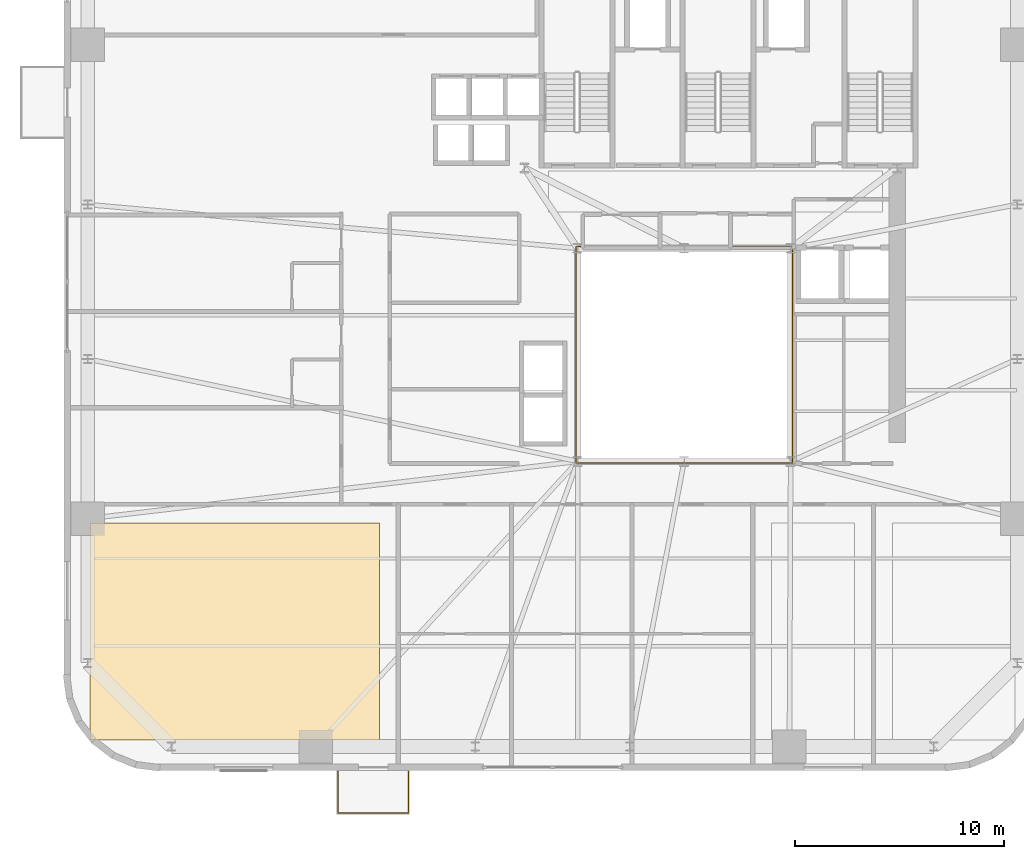
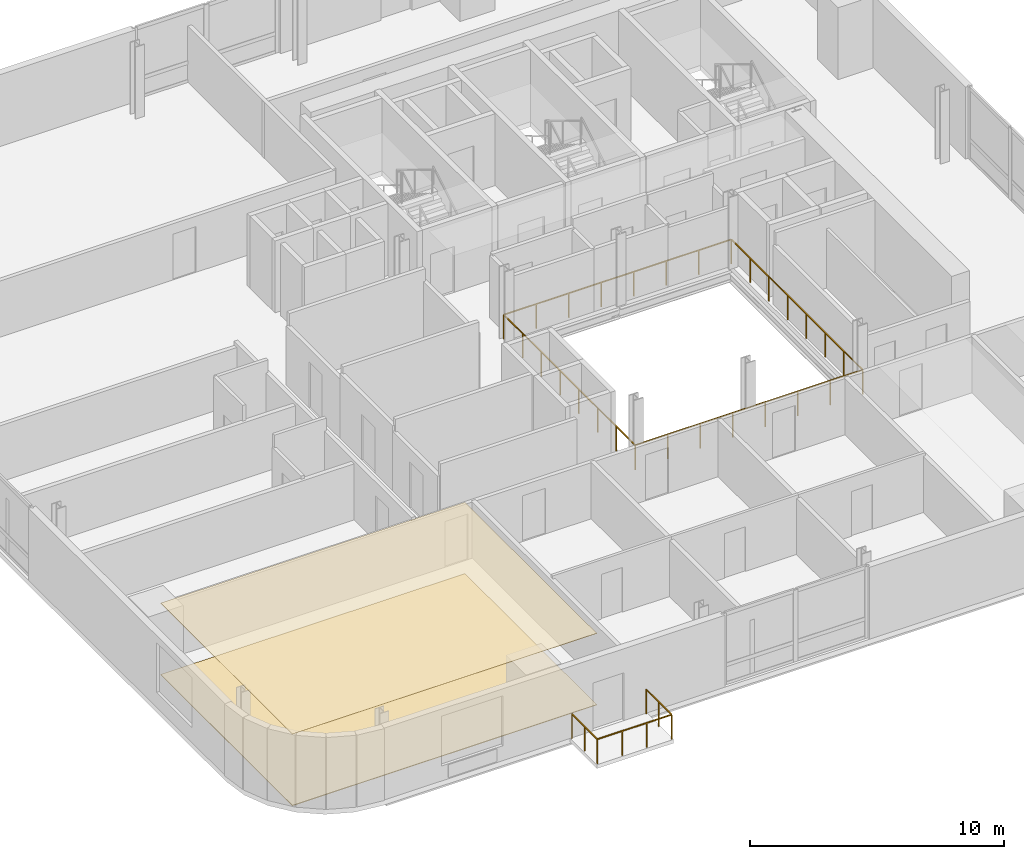
# One storey, part 10 of 14: 2 coverings, 2 railings.
"""IFC4 building model written with IfcOpenShell, lengths in metres."""

from ifc_helpers import new_model, si_unit, direction, frame, origin, origin_2d, place, context, subcontext, project, spatial, polyline, rectangle, outline, extrude, source, transform, mapped, material, layer, layer_set, type_object, element, save


model = new_model("IFC4")

# Units and contexts
model_context = context("Model", 3, precision=1e-05, world=origin(), true_north=direction((0.0, 1.0)))
body_context = subcontext(model_context, "Body", "Model", "MODEL_VIEW")
ifc_project = project(units=[si_unit("LENGTHUNIT", "METRE"), si_unit("AREAUNIT", "SQUARE_METRE"), si_unit("VOLUMEUNIT", "CUBIC_METRE"), si_unit("PLANEANGLEUNIT", "RADIAN"), si_unit("MASSUNIT", "GRAM", prefix="KILO")], contexts=[model_context])

# Site, building, storey
site_placement = place(None, origin())
site = spatial("IfcSite", under=ifc_project, at=site_placement, CompositionType="ELEMENT")
building_placement = place(site_placement, origin())
building = spatial("IfcBuilding", under=site, at=building_placement, Name="Vardaveli Station Tower", CompositionType="ELEMENT")
storey_placement = place(building_placement, frame((0.0, 0.0, 148.300048828125)))
storey = spatial("IfcBuildingStorey", under=building, at=storey_placement, Name="L38", CompositionType="ELEMENT", Elevation=148.300048828125)

# Coverings
ifc_material_1 = material(Name="Perforated acoustic mineral ceiling")
ifc_layer_1 = layer(ifc_material_1, 0.02001953125, Name="Perforated acoustic mineral ceiling")
ifc_layer_set_1 = layer_set([ifc_layer_1], Name="Perforated acoustic mineral ceiling")
covering_type_1 = type_object("IfcCoveringType", Name="COV-CEIL-AC20", PredefinedType="CEILING", material=ifc_layer_set_1)
covering_1_placement = place(storey_placement, frame((0.0, 0.0, 3.445068359375)))
element("IfcCovering", 1, at=covering_1_placement, inside=storey, type_object=covering_type_1, Name="CEIL-L38-1", PredefinedType="CEILING", context=body_context, shape_type="SweptSolid", body=[
    extrude(outline(polyline([(7.85009765625, 3.25), (21.71044921875, 3.25), (21.71044921875, 13.64990234375), (7.85009765625, 13.64990234375), (7.85009765625, 3.25)])), origin(), (0.0, 0.0, 1.0), 0.019775390625),
])
ifc_material_2 = material(Name="Honed Caucasian basalt and travertine flooring", Category="masonry")
ifc_layer_2 = layer(ifc_material_2, 0.030029296875, Name="Honed Caucasian basalt and travertine flooring")
ifc_layer_set_2 = layer_set([ifc_layer_2], Name="Honed Caucasian basalt and travertine flooring")
covering_type_2 = type_object("IfcCoveringType", Name="COV-FLOOR-ST30", PredefinedType="FLOORING", material=ifc_layer_set_2)
covering_2_placement = place(storey_placement, origin())
element("IfcCovering", 2, at=covering_2_placement, inside=storey, type_object=covering_type_2, Name="FLR-L38-1", PredefinedType="FLOORING", context=body_context, shape_type="SweptSolid", body=[
    extrude(outline(polyline([(7.85009765625, 3.25), (21.71044921875, 3.25), (21.71044921875, 13.64990234375), (7.85009765625, 13.64990234375), (7.85009765625, 3.25)])), origin(), (0.0, 0.0, 1.0), 0.030029296875),
])

# Railings
ifc_material_3 = material(Name="Laminated glass and stainless steel balustrade", Category="steel")
railing_type = type_object("IfcRailingType", Name="RL-BAL-1200", PredefinedType="BALUSTRADE", material=ifc_material_3)
shared_shape_1 = source(origin(), body_context, "Body", "SweptSolid", [
    extrude(rectangle(XDim=0.048095703125, YDim=0.048095703125, at=origin_2d()), frame((0.0, 0.0, 1.17578125), z_axis=(0.0, -1.0, 0.0), x_axis=(1.0, 0.0, 0.0)), (0.0, 0.0, 1.0), 2.0),
    extrude(rectangle(XDim=0.048095703125, YDim=0.048095703125, at=origin_2d()), frame((0.0, -2.0, 1.17578125), z_axis=(1.0, 0.0, 0.0), x_axis=(0.0, 1.0, 0.0)), (0.0, 0.0, 1.0), 3.3798828125),
    extrude(rectangle(XDim=0.048095703125, YDim=0.048095703125, at=origin_2d()), frame((3.3798828125, -2.0, 1.17578125), z_axis=(0.0, 1.0, 0.0), x_axis=(-1.0, 0.0, 0.0)), (0.0, 0.0, 1.0), 2.0),
    extrude(rectangle(XDim=0.0419921875, YDim=0.0419921875, at=origin_2d()), origin(), (0.0, 0.0, 1.0), 1.15185546875),
    extrude(rectangle(XDim=0.0419921875, YDim=0.0419921875, at=origin_2d()), frame((0.0, -1.0, 0.0)), (0.0, 0.0, 1.0), 1.15185546875),
    extrude(rectangle(XDim=0.0419921875, YDim=0.0419921875, at=origin_2d()), frame((0.0, -2.0, 0.0)), (0.0, 0.0, 1.0), 1.15185546875),
    extrude(rectangle(XDim=0.0419921875, YDim=0.0419921875, at=origin_2d()), frame((1.126708984375, -2.0, 0.0)), (0.0, 0.0, 1.0), 1.15185546875),
    extrude(rectangle(XDim=0.0419921875, YDim=0.0419921875, at=origin_2d()), frame((2.253173828125, -2.0, 0.0)), (0.0, 0.0, 1.0), 1.15185546875),
    extrude(rectangle(XDim=0.0419921875, YDim=0.0419921875, at=origin_2d()), frame((3.3798828125, -2.0, 0.0)), (0.0, 0.0, 1.0), 1.15185546875),
    extrude(rectangle(XDim=0.0419921875, YDim=0.0419921875, at=origin_2d()), frame((3.3798828125, -1.0, 0.0)), (0.0, 0.0, 1.0), 1.15185546875),
    extrude(rectangle(XDim=0.0419921875, YDim=0.0419921875, at=origin_2d()), frame((3.3798828125, 0.0, 0.0)), (0.0, 0.0, 1.0), 1.15185546875),
])
railing_1_placement = place(storey_placement, frame((19.720458984375, 1.760009765625, 0.0)))
element("IfcRailing", 3, at=railing_1_placement, inside=storey, type_object=railing_type, Name="RL-LOG-L38-01", PredefinedType="BALUSTRADE", context=body_context, shape_type="MappedRepresentation", body=[
    mapped(shared_shape_1, transform((0.0, 0.0, 0.0), scale=1.0)),
])
shared_shape_2 = source(origin(), body_context, "Body", "SweptSolid", [
    extrude(rectangle(XDim=0.048095703125, YDim=0.048095703125, at=origin_2d()), frame((0.0, 0.0, 1.17578125), z_axis=(1.0, 0.0, 0.0), x_axis=(0.0, 1.0, 0.0)), (0.0, 0.0, 1.0), 10.35986328125),
    extrude(rectangle(XDim=0.048095703125, YDim=0.048095703125, at=origin_2d()), frame((10.35986328125, 0.0, 1.17578125), z_axis=(0.0, 1.0, 0.0), x_axis=(-1.0, 0.0, 0.0)), (0.0, 0.0, 1.0), 10.35986328125),
    extrude(rectangle(XDim=0.048095703125, YDim=0.048095703125, at=origin_2d()), frame((10.35986328125, 10.35986328125, 1.17578125), z_axis=(-1.0, 0.0, 0.0), x_axis=(0.0, -1.0, 0.0)), (0.0, 0.0, 1.0), 10.35986328125),
    extrude(rectangle(XDim=0.048095703125, YDim=0.048095703125, at=origin_2d()), frame((0.0, 10.35986328125, 1.17578125), z_axis=(0.0, -1.0, 0.0), x_axis=(1.0, 0.0, 0.0)), (0.0, 0.0, 1.0), 10.35986328125),
    extrude(rectangle(XDim=0.0419921875, YDim=0.0419921875, at=origin_2d()), origin(), (0.0, 0.0, 1.0), 1.15185546875),
    extrude(rectangle(XDim=0.0419921875, YDim=0.0419921875, at=origin_2d()), frame((1.47998046875, 0.0, 0.0)), (0.0, 0.0, 1.0), 1.15185546875),
    extrude(rectangle(XDim=0.0419921875, YDim=0.0419921875, at=origin_2d()), frame((2.9599609375, 0.0, 0.0)), (0.0, 0.0, 1.0), 1.15185546875),
    extrude(rectangle(XDim=0.0419921875, YDim=0.0419921875, at=origin_2d()), frame((4.43994140625, 0.0, 0.0)), (0.0, 0.0, 1.0), 1.15185546875),
    extrude(rectangle(XDim=0.0419921875, YDim=0.0419921875, at=origin_2d()), frame((5.919921875, 0.0, 0.0)), (0.0, 0.0, 1.0), 1.15185546875),
    extrude(rectangle(XDim=0.0419921875, YDim=0.0419921875, at=origin_2d()), frame((7.39990234375, 0.0, 0.0)), (0.0, 0.0, 1.0), 1.15185546875),
    extrude(rectangle(XDim=0.0419921875, YDim=0.0419921875, at=origin_2d()), frame((8.8798828125, 0.0, 0.0)), (0.0, 0.0, 1.0), 1.15185546875),
    extrude(rectangle(XDim=0.0419921875, YDim=0.0419921875, at=origin_2d()), frame((10.35986328125, 0.0, 0.0)), (0.0, 0.0, 1.0), 1.15185546875),
    extrude(rectangle(XDim=0.0419921875, YDim=0.0419921875, at=origin_2d()), frame((10.35986328125, 1.47998046875, 0.0)), (0.0, 0.0, 1.0), 1.15185546875),
    extrude(rectangle(XDim=0.0419921875, YDim=0.0419921875, at=origin_2d()), frame((10.35986328125, 2.9599609375, 0.0)), (0.0, 0.0, 1.0), 1.15185546875),
    extrude(rectangle(XDim=0.0419921875, YDim=0.0419921875, at=origin_2d()), frame((10.35986328125, 4.43994140625, 0.0)), (0.0, 0.0, 1.0), 1.15185546875),
    extrude(rectangle(XDim=0.0419921875, YDim=0.0419921875, at=origin_2d()), frame((10.35986328125, 5.919921875, 0.0)), (0.0, 0.0, 1.0), 1.15185546875),
    extrude(rectangle(XDim=0.0419921875, YDim=0.0419921875, at=origin_2d()), frame((10.35986328125, 7.39990234375, 0.0)), (0.0, 0.0, 1.0), 1.15185546875),
    extrude(rectangle(XDim=0.0419921875, YDim=0.0419921875, at=origin_2d()), frame((10.35986328125, 8.8798828125, 0.0)), (0.0, 0.0, 1.0), 1.15185546875),
    extrude(rectangle(XDim=0.0419921875, YDim=0.0419921875, at=origin_2d()), frame((10.35986328125, 10.35986328125, 0.0)), (0.0, 0.0, 1.0), 1.15185546875),
    extrude(rectangle(XDim=0.0419921875, YDim=0.0419921875, at=origin_2d()), frame((8.8798828125, 10.35986328125, 0.0)), (0.0, 0.0, 1.0), 1.15185546875),
    extrude(rectangle(XDim=0.0419921875, YDim=0.0419921875, at=origin_2d()), frame((7.39990234375, 10.35986328125, 0.0)), (0.0, 0.0, 1.0), 1.15185546875),
    extrude(rectangle(XDim=0.0419921875, YDim=0.0419921875, at=origin_2d()), frame((5.919921875, 10.35986328125, 0.0)), (0.0, 0.0, 1.0), 1.15185546875),
    extrude(rectangle(XDim=0.0419921875, YDim=0.0419921875, at=origin_2d()), frame((4.43994140625, 10.35986328125, 0.0)), (0.0, 0.0, 1.0), 1.15185546875),
    extrude(rectangle(XDim=0.0419921875, YDim=0.0419921875, at=origin_2d()), frame((2.9599609375, 10.35986328125, 0.0)), (0.0, 0.0, 1.0), 1.15185546875),
    extrude(rectangle(XDim=0.0419921875, YDim=0.0419921875, at=origin_2d()), frame((1.47998046875, 10.35986328125, 0.0)), (0.0, 0.0, 1.0), 1.15185546875),
    extrude(rectangle(XDim=0.0419921875, YDim=0.0419921875, at=origin_2d()), frame((0.0, 10.35986328125, 0.0)), (0.0, 0.0, 1.0), 1.15185546875),
    extrude(rectangle(XDim=0.0419921875, YDim=0.0419921875, at=origin_2d()), frame((0.0, 8.8798828125, 0.0)), (0.0, 0.0, 1.0), 1.15185546875),
    extrude(rectangle(XDim=0.0419921875, YDim=0.0419921875, at=origin_2d()), frame((0.0, 7.39990234375, 0.0)), (0.0, 0.0, 1.0), 1.15185546875),
    extrude(rectangle(XDim=0.0419921875, YDim=0.0419921875, at=origin_2d()), frame((0.0, 5.919921875, 0.0)), (0.0, 0.0, 1.0), 1.15185546875),
    extrude(rectangle(XDim=0.0419921875, YDim=0.0419921875, at=origin_2d()), frame((0.0, 4.43994140625, 0.0)), (0.0, 0.0, 1.0), 1.15185546875),
    extrude(rectangle(XDim=0.0419921875, YDim=0.0419921875, at=origin_2d()), frame((0.0, 2.9599609375, 0.0)), (0.0, 0.0, 1.0), 1.15185546875),
    extrude(rectangle(XDim=0.0419921875, YDim=0.0419921875, at=origin_2d()), frame((0.0, 1.47998046875, 0.0)), (0.0, 0.0, 1.0), 1.15185546875),
])
railing_2_placement = place(storey_placement, frame((31.1201171875, 16.52001953125, 0.0)))
element("IfcRailing", 4, at=railing_2_placement, inside=storey, type_object=railing_type, Name="RL-ATR-L38", PredefinedType="BALUSTRADE", context=body_context, shape_type="MappedRepresentation", body=[
    mapped(shared_shape_2, transform((0.0, 0.0, 0.0), scale=1.0)),
])

save(model, "model.ifc")
